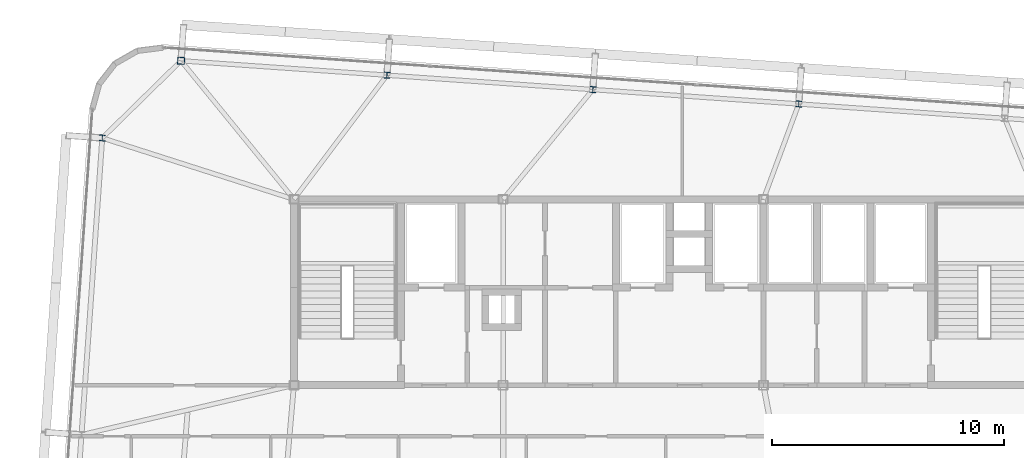
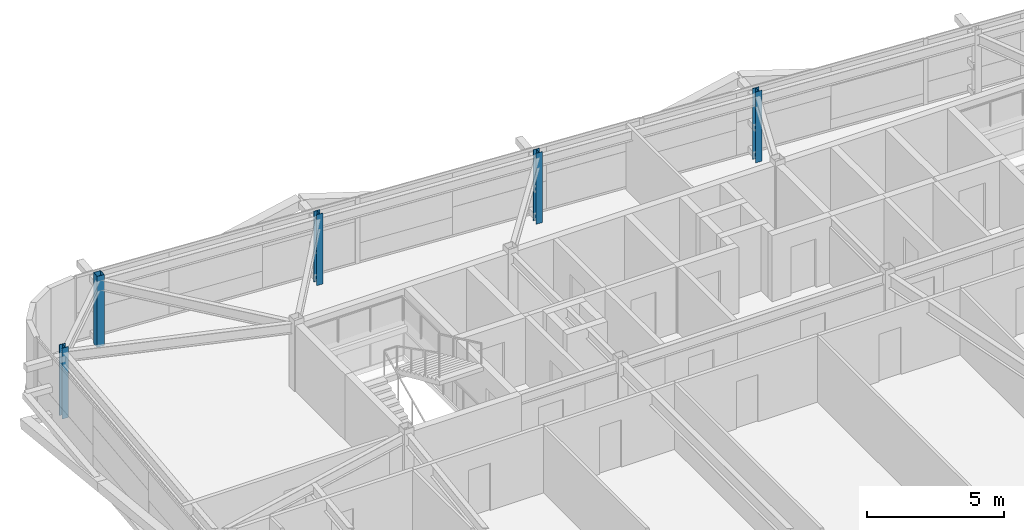
# One storey, part 4 of 39: 5 columns.
"""IFC4 building model written with IfcOpenShell, lengths in metres."""

import ifcopenshell
import ifcopenshell.guid

model = None  # the IFC model being written
_history = None  # IfcOwnerHistory: only IFC2X3 demands one
_inside = {}  # id of a spatial element -> (the spatial element, [elements in it])
_under = {}  # id of a project, library or spatial element -> (it, [spatial elements below it])
_declared = {}  # id of a project -> (the project, [libraries it declares])
_typed = {}  # id of a type object -> (the type object, [elements of that type])
_made_of = {}  # id of a material, layer set ... -> (it, [elements and type objects made of it])


def new_model(schema):
    """Start an empty IFC model of exactly this schema.

    Asked for "IFC4X3", IfcOpenShell would pick the latest addendum, in which some entities
    have other attributes; the version numbers below select the first issue.
    IFC2X3 requires an IfcOwnerHistory on every rooted entity: one is made here for all.
    """
    global model, _history
    if schema == "IFC4X3":
        model = ifcopenshell.file(schema_version=(4, 3, 0, 0))
    else:
        model = ifcopenshell.file(schema=schema)
    _inside.clear()
    _under.clear()
    _declared.clear()
    _typed.clear()
    _made_of.clear()
    _history = None
    if model.schema == "IFC2X3":
        org = make("IfcOrganization", Name="unknown")
        user = make(
            "IfcPersonAndOrganization",
            ThePerson=make("IfcPerson", FamilyName="unknown"),
            TheOrganization=org,
        )
        app = make(
            "IfcApplication",
            ApplicationDeveloper=org,
            Version="unknown",
            ApplicationFullName="unknown",
            ApplicationIdentifier="unknown",
        )
        _history = make(
            "IfcOwnerHistory",
            OwningUser=user,
            OwningApplication=app,
            ChangeAction="ADDED",
            CreationDate=0,
        )
    return model


def make(cls, **values):
    """One entity of the class cls with the attributes given. An attribute that is None is left unset."""
    return model.create_entity(
        cls, **{name: value for name, value in values.items() if value is not None}
    )


def rooted(cls, **values):
    """An entity with a GlobalId (a new one), such as an element, a storey or a relation."""
    return make(cls, GlobalId=ifcopenshell.guid.new(), OwnerHistory=_history, **values)


def si_unit(unit_type, name, prefix=None):
    """IfcSIUnit, for example si_unit("LENGTHUNIT", "METRE", prefix="MILLI")."""
    return make("IfcSIUnit", UnitType=unit_type, Prefix=prefix, Name=name)


def assignment(units):
    """IfcUnitAssignment: the units of a project."""
    return None if units is None else make("IfcUnitAssignment", Units=units)


def point(xyz):
    """IfcCartesianPoint."""
    return None if xyz is None else make("IfcCartesianPoint", Coordinates=xyz)


def direction(xyz):
    """IfcDirection."""
    return None if xyz is None else make("IfcDirection", DirectionRatios=xyz)


def frame(location, z_axis=None, x_axis=None):
    """IfcAxis2Placement3D, a coordinate frame: its origin and axes. An axis left out is left unset."""
    return make(
        "IfcAxis2Placement3D",
        Location=point(location),
        Axis=direction(z_axis),
        RefDirection=direction(x_axis),
    )


def frame_2d(location, x_axis=None):
    """IfcAxis2Placement2D, a coordinate frame in the plane: its origin and x axis."""
    return make(
        "IfcAxis2Placement2D", Location=point(location), RefDirection=direction(x_axis)
    )


def origin():
    """The frame at (0, 0, 0) with its axes left unset."""
    return frame((0.0, 0.0, 0.0))


def origin_2d():
    """The frame at (0, 0) in the plane with its x axis left unset."""
    return frame_2d((0.0, 0.0))


def place(relative_to, where):
    """IfcLocalPlacement: puts the frame where relative to a parent placement (None: the world)."""
    return make(
        "IfcLocalPlacement", PlacementRelTo=relative_to, RelativePlacement=where
    )


def context(
    kind, dimensions, precision=None, world=None, true_north=None, identifier=None
):
    """IfcGeometricRepresentationContext, for example the 3D "Model" context."""
    return make(
        "IfcGeometricRepresentationContext",
        ContextIdentifier=identifier,
        ContextType=kind,
        CoordinateSpaceDimension=dimensions,
        Precision=precision,
        WorldCoordinateSystem=world,
        TrueNorth=true_north,
    )


def subcontext(parent, identifier, kind, view, scale=None):
    """IfcGeometricRepresentationSubContext, for example "Body" below "Model"."""
    return make(
        "IfcGeometricRepresentationSubContext",
        ContextIdentifier=identifier,
        ContextType=kind,
        ParentContext=parent,
        TargetScale=scale,
        TargetView=view,
    )


def project(units=None, contexts=None):
    """IfcProject with its units and contexts."""
    return rooted(
        "IfcProject",
        Name="project",
        RepresentationContexts=contexts,
        UnitsInContext=assignment(units),
    )


def spatial(cls, under=None, at=None, **own):
    """A site, building, storey or space (cls), placed at a placement, below another one or the project."""
    s = rooted(cls, ObjectPlacement=at, **own)
    if under is not None:
        _under.setdefault(under.id(), (under, []))[1].append(s)
    return s


def profile(cls, at=None, kind="AREA", **sizes):
    """A parametric profile (cls). Its sizes go by their IFC names, for example OverallWidth=200.0."""
    return make(cls, ProfileType=kind, Position=at, **sizes)


def hollow_rectangle(**sizes):
    """IfcRectangleHollowProfileDef."""
    return profile("IfcRectangleHollowProfileDef", **sizes)


def i_section(**sizes):
    """IfcIShapeProfileDef."""
    return profile("IfcIShapeProfileDef", **sizes)


def extrude(swept, where, along, depth):
    """IfcExtrudedAreaSolid: the profile swept, set in the frame where, extruded along a direction by depth."""
    return make(
        "IfcExtrudedAreaSolid",
        SweptArea=swept,
        Position=where,
        ExtrudedDirection=direction(along),
        Depth=depth,
    )


def shape(context_of_items, identifier, shape_type, items):
    """IfcShapeRepresentation: the items that make up one representation, for example the "Body"."""
    return make(
        "IfcShapeRepresentation",
        ContextOfItems=context_of_items,
        RepresentationIdentifier=identifier,
        RepresentationType=shape_type,
        Items=items,
    )


def source(mapping_origin, context_of_items, identifier, shape_type, items):
    """IfcRepresentationMap: a shape defined once, which mapped items show again and again."""
    return make(
        "IfcRepresentationMap",
        MappingOrigin=mapping_origin,
        MappedRepresentation=shape(context_of_items, identifier, shape_type, items),
    )


def transform(
    local_origin,
    x_axis=None,
    y_axis=None,
    z_axis=None,
    scale=None,
    scale2=None,
    scale3=None,
    uniform=True,
):
    """IfcCartesianTransformationOperator3D, or its non-uniform kind. x_axis, y_axis, z_axis: its Axis1, 2, 3."""
    if uniform:
        return make(
            "IfcCartesianTransformationOperator3D",
            Axis1=direction(x_axis),
            Axis2=direction(y_axis),
            LocalOrigin=point(local_origin),
            Scale=scale,
            Axis3=direction(z_axis),
        )
    return make(
        "IfcCartesianTransformationOperator3DnonUniform",
        Axis1=direction(x_axis),
        Axis2=direction(y_axis),
        LocalOrigin=point(local_origin),
        Scale=scale,
        Axis3=direction(z_axis),
        Scale2=scale2,
        Scale3=scale3,
    )


def mapped(mapping_source, mapping_target):
    """IfcMappedItem: shows the shape of a source again, moved by a transform."""
    return make(
        "IfcMappedItem", MappingSource=mapping_source, MappingTarget=mapping_target
    )


def material(Name=None, Category=None):
    """IfcMaterial."""
    return make("IfcMaterial", Name=Name, Category=Category)


def material_profile(
    of_material, cross_section, Name=None, Category=None, Priority=None
):
    """IfcMaterialProfile: a cross section and its material."""
    return make(
        "IfcMaterialProfile",
        Name=Name,
        Material=of_material,
        Profile=cross_section,
        Priority=Priority,
        Category=Category,
    )


def profile_set(profiles, Name=None, composite=None):
    """IfcMaterialProfileSet."""
    return make(
        "IfcMaterialProfileSet",
        Name=Name,
        MaterialProfiles=profiles,
        CompositeProfile=composite,
    )


def made_of(thing, what):
    """Note that an element or type object is made of a material, layer set ...; save() writes the relation."""
    if what is not None:
        _made_of.setdefault(what.id(), (what, []))[1].append(thing)
    return thing


def type_object(cls, material=None, **own):
    """A type object (cls), such as IfcWallType, which elements share."""
    return made_of(rooted(cls, **own), material)


def element(
    cls,
    number,
    at=None,
    inside=None,
    cuts=None,
    type_object=None,
    material=None,
    context=None,
    identifier="Body",
    shape_type=None,
    held_by="IfcProductDefinitionShape",
    body=None,
    shapes=None,
    **own,
):
    """One element of the class cls, such as IfcWall. Its Tag is "e" and its number.

    at: its placement. inside: the storey or other place that contains it. cuts: it is an
    opening in that element (IfcRelVoidsElement). A single representation is given by context,
    identifier, shape_type and body (its items); several are given by shapes. held_by: the class
    of the entity that holds the representations. save() writes the other relations.
    """
    e = rooted(cls, Tag="e%d" % number, ObjectPlacement=at, **own)
    if body is not None:
        shapes = [shape(context, identifier, shape_type, body)]
    if shapes is not None:
        e.Representation = make(held_by, Representations=shapes)
    if inside is not None:
        _inside.setdefault(inside.id(), (inside, []))[1].append(e)
    if cuts is not None:
        rooted(
            "IfcRelVoidsElement", RelatingBuildingElement=cuts, RelatedOpeningElement=e
        )
    if type_object is not None:
        _typed.setdefault(type_object.id(), (type_object, []))[1].append(e)
    return made_of(e, material)


def aggregate(whole, parts):
    """IfcRelAggregates: a whole, such as a stair, and the parts it consists of."""
    return rooted("IfcRelAggregates", RelatingObject=whole, RelatedObjects=parts)


def save(model, path):
    """Write the relations noted so far, then the file.

    IfcRelAggregates (storeys below a building ...), IfcRelContainedInSpatialStructure (elements
    in a storey), IfcRelDefinesByType, IfcRelAssociatesMaterial and IfcRelDeclares: one each for
    every whole, place, type object, material and project.
    """
    for whole, parts in _under.values():
        aggregate(whole, parts)
    for where, things in _inside.values():
        rooted(
            "IfcRelContainedInSpatialStructure",
            RelatedElements=things,
            RelatingStructure=where,
        )
    for kind, things in _typed.values():
        rooted("IfcRelDefinesByType", RelatedObjects=things, RelatingType=kind)
    for what, things in _made_of.values():
        rooted("IfcRelAssociatesMaterial", RelatedObjects=things, RelatingMaterial=what)
    for by, libraries in _declared.values():
        rooted("IfcRelDeclares", RelatingContext=by, RelatedDefinitions=libraries)
    model.write(path)


model = new_model("IFC4")

# Units and contexts
model_context = context("Model", 3, precision=1e-05, world=origin(), true_north=direction((0.0, 1.0)))
body_context = subcontext(model_context, "Body", "Model", "MODEL_VIEW")
ifc_project = project(units=[si_unit("LENGTHUNIT", "METRE"), si_unit("AREAUNIT", "SQUARE_METRE"), si_unit("VOLUMEUNIT", "CUBIC_METRE"), si_unit("PLANEANGLEUNIT", "RADIAN"), si_unit("MASSUNIT", "GRAM", prefix="KILO")], contexts=[model_context])

# Site, building, storey
site_placement = place(None, origin())
site = spatial("IfcSite", under=ifc_project, at=site_placement, CompositionType="ELEMENT")
building_placement = place(site_placement, origin())
building = spatial("IfcBuilding", under=site, at=building_placement, Name="Taldren Reach Tower", CompositionType="ELEMENT")
storey_placement = place(building_placement, frame((0.0, 0.0, 120.39990234375)))
storey = spatial("IfcBuildingStorey", under=building, at=storey_placement, Name="L36", CompositionType="ELEMENT", Elevation=120.39990234375)

# Columns
ifc_material_1 = material(Name="Steel Gr 450 (C450L0)", Category="steel")
ifc_material_profile_1 = material_profile(ifc_material_1, hollow_rectangle(XDim=0.300048828125, YDim=0.300048828125, WallThickness=0.012451171875, at=origin_2d()), Name="300x300x12.5SHS")
ifc_profile_set_1 = profile_set([ifc_material_profile_1], Name="Steel Gr 450 (C450L0)")
column_type_1 = type_object("IfcColumnType", Name="COL-SHS300", PredefinedType="COLUMN", material=ifc_profile_set_1)
shared_shape_1 = source(origin(), body_context, "Body", "SweptSolid", [
    extrude(hollow_rectangle(XDim=0.300048828125, YDim=0.300048828125, WallThickness=0.012451171875, at=origin_2d()), origin(), (0.0, 0.0, 1.0), 3.150146484375),
])
column_placement = place(storey_placement, frame((14.14453125, 37.958740234375, 0.0), z_axis=(0.0, 0.0, 1.0), x_axis=(0.99756405026, -0.069756473744, 0.0)))
element("IfcColumn", 1, at=column_placement, inside=storey, type_object=column_type_1, Name="Block B3 perimeter column N1 L36", PredefinedType="COLUMN", context=body_context, shape_type="MappedRepresentation", body=[
    mapped(shared_shape_1, transform((0.0, 0.0, 0.0), scale=1.0)),
])
ifc_material_2 = material(Name="Steel Gr 350 (350PLUS)", Category="steel")
ifc_material_profile_2 = material_profile(ifc_material_2, i_section(OverallWidth=0.256103515625, OverallDepth=0.260009765625, WebThickness=0.010498046875, FlangeThickness=0.017333984375, at=origin_2d()), Name="250UC89.5")
ifc_profile_set_2 = profile_set([ifc_material_profile_2], Name="Steel Gr 350 (350PLUS)")
column_type_2 = type_object("IfcColumnType", Name="COL-UC250", PredefinedType="COLUMN", material=ifc_profile_set_2)
shared_shape_2 = source(origin(), body_context, "Body", "SweptSolid", [
    extrude(i_section(OverallWidth=0.256103515625, OverallDepth=0.260009765625, WebThickness=0.010498046875, FlangeThickness=0.017333984375, at=origin_2d()), origin(), (0.0, 0.0, 1.0), 3.150146484375),
])
for number, where, z_axis, x_axis, name in (
    (2, (23.0029296875, 37.33935546875, 0.0), (0.0, 0.0, 1.0), (0.99756405026, -0.069756473744, 0.0), "Block B3 perimeter column N2 L36"),
    (3, (31.861328125, 36.719970703125, 0.0), (0.0, 0.0, 1.0), (0.99756405026, -0.069756473744, 0.0), "Block B3 perimeter column N3 L36"),
    (4, (40.7197265625, 36.100341796875, 0.0), (0.0, 0.0, 1.0), (0.99756405026, -0.069756473744, 0.0), "Block B3 perimeter column N4 L36"),
    (5, (10.754638671875, 34.63720703125, 0.0), (0.0, 0.0, 1.0), (0.99756405026, -0.069756473744, 0.0), "Block B3 perimeter column W3 L36"),
):
    element("IfcColumn", number, at=place(storey_placement, frame(where, z_axis=z_axis, x_axis=x_axis)), inside=storey, type_object=column_type_2, Name=name, PredefinedType="COLUMN", context=body_context, shape_type="MappedRepresentation", body=[
        mapped(shared_shape_2, transform((0.0, 0.0, 0.0), scale=1.0)),
    ])

save(model, "model.ifc")
